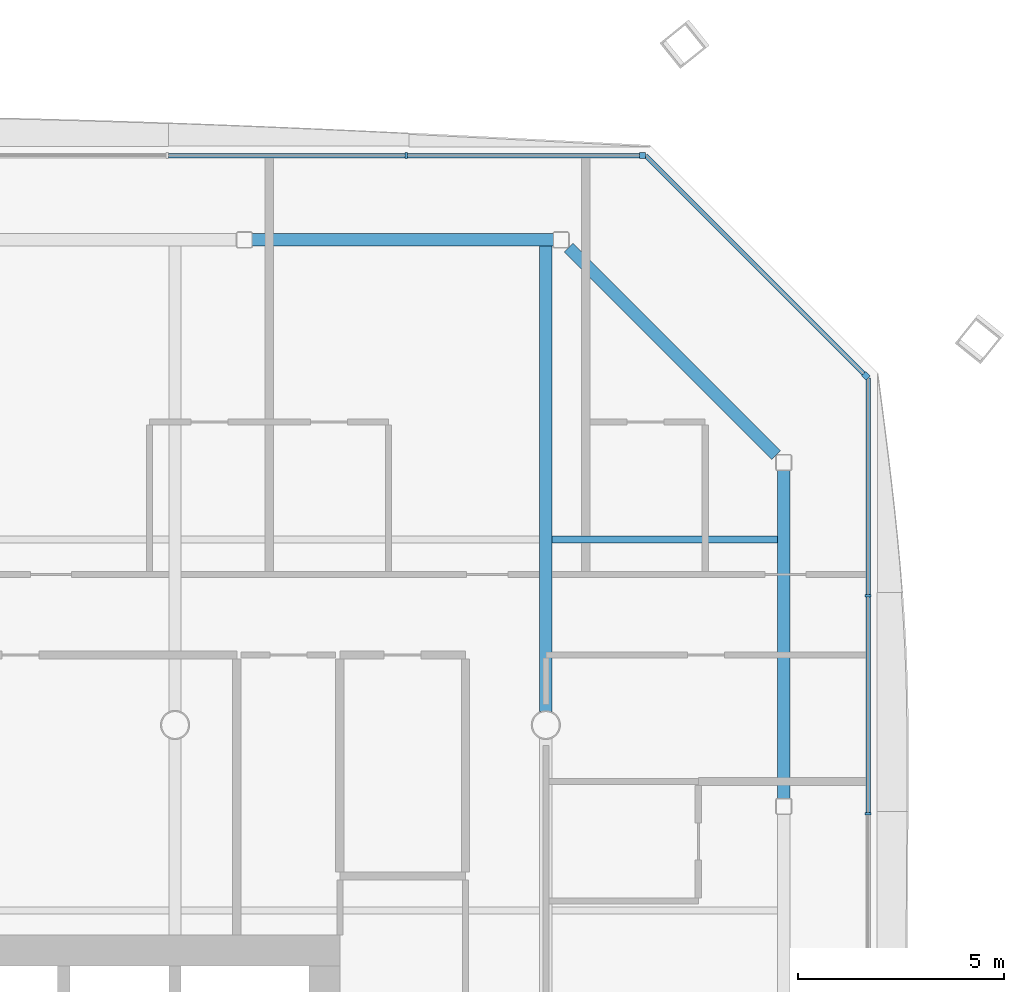
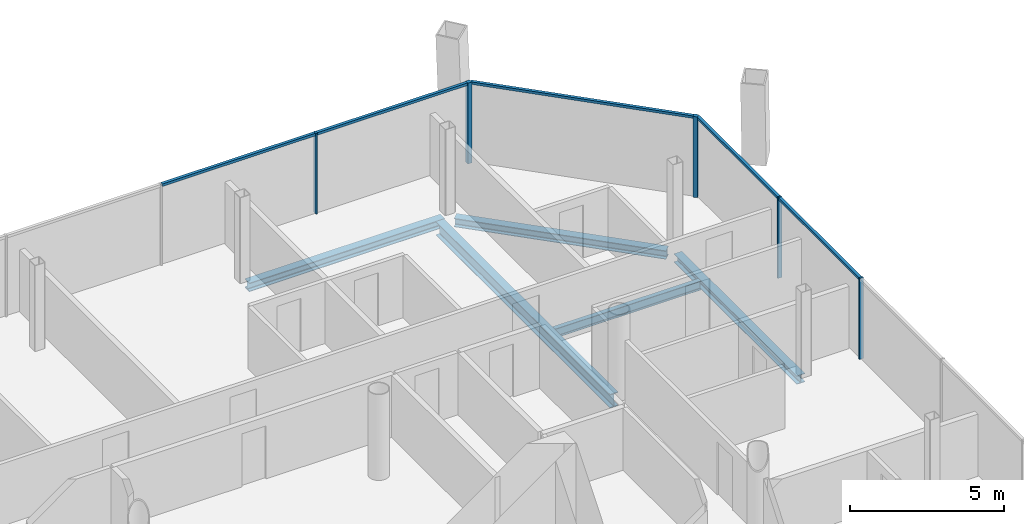
# One storey, part 10 of 21: 10 members, 5 beams, 3 elements without a shape of their own.
"""IFC4 building model written with IfcOpenShell, lengths in metres."""

import ifcopenshell
import ifcopenshell.guid

model = None  # the IFC model being written
_history = None  # IfcOwnerHistory: only IFC2X3 demands one
_inside = {}  # id of a spatial element -> (the spatial element, [elements in it])
_under = {}  # id of a project, library or spatial element -> (it, [spatial elements below it])
_declared = {}  # id of a project -> (the project, [libraries it declares])
_typed = {}  # id of a type object -> (the type object, [elements of that type])
_made_of = {}  # id of a material, layer set ... -> (it, [elements and type objects made of it])


def new_model(schema):
    """Start an empty IFC model of exactly this schema.

    Asked for "IFC4X3", IfcOpenShell would pick the latest addendum, in which some entities
    have other attributes; the version numbers below select the first issue.
    IFC2X3 requires an IfcOwnerHistory on every rooted entity: one is made here for all.
    """
    global model, _history
    if schema == "IFC4X3":
        model = ifcopenshell.file(schema_version=(4, 3, 0, 0))
    else:
        model = ifcopenshell.file(schema=schema)
    _inside.clear()
    _under.clear()
    _declared.clear()
    _typed.clear()
    _made_of.clear()
    _history = None
    if model.schema == "IFC2X3":
        org = make("IfcOrganization", Name="unknown")
        user = make(
            "IfcPersonAndOrganization",
            ThePerson=make("IfcPerson", FamilyName="unknown"),
            TheOrganization=org,
        )
        app = make(
            "IfcApplication",
            ApplicationDeveloper=org,
            Version="unknown",
            ApplicationFullName="unknown",
            ApplicationIdentifier="unknown",
        )
        _history = make(
            "IfcOwnerHistory",
            OwningUser=user,
            OwningApplication=app,
            ChangeAction="ADDED",
            CreationDate=0,
        )
    return model


def make(cls, **values):
    """One entity of the class cls with the attributes given. An attribute that is None is left unset."""
    return model.create_entity(
        cls, **{name: value for name, value in values.items() if value is not None}
    )


def rooted(cls, **values):
    """An entity with a GlobalId (a new one), such as an element, a storey or a relation."""
    return make(cls, GlobalId=ifcopenshell.guid.new(), OwnerHistory=_history, **values)


def si_unit(unit_type, name, prefix=None):
    """IfcSIUnit, for example si_unit("LENGTHUNIT", "METRE", prefix="MILLI")."""
    return make("IfcSIUnit", UnitType=unit_type, Prefix=prefix, Name=name)


def assignment(units):
    """IfcUnitAssignment: the units of a project."""
    return None if units is None else make("IfcUnitAssignment", Units=units)


def point(xyz):
    """IfcCartesianPoint."""
    return None if xyz is None else make("IfcCartesianPoint", Coordinates=xyz)


def direction(xyz):
    """IfcDirection."""
    return None if xyz is None else make("IfcDirection", DirectionRatios=xyz)


def frame(location, z_axis=None, x_axis=None):
    """IfcAxis2Placement3D, a coordinate frame: its origin and axes. An axis left out is left unset."""
    return make(
        "IfcAxis2Placement3D",
        Location=point(location),
        Axis=direction(z_axis),
        RefDirection=direction(x_axis),
    )


def frame_2d(location, x_axis=None):
    """IfcAxis2Placement2D, a coordinate frame in the plane: its origin and x axis."""
    return make(
        "IfcAxis2Placement2D", Location=point(location), RefDirection=direction(x_axis)
    )


def origin():
    """The frame at (0, 0, 0) with its axes left unset."""
    return frame((0.0, 0.0, 0.0))


def origin_2d():
    """The frame at (0, 0) in the plane with its x axis left unset."""
    return frame_2d((0.0, 0.0))


def place(relative_to, where):
    """IfcLocalPlacement: puts the frame where relative to a parent placement (None: the world)."""
    return make(
        "IfcLocalPlacement", PlacementRelTo=relative_to, RelativePlacement=where
    )


def context(
    kind, dimensions, precision=None, world=None, true_north=None, identifier=None
):
    """IfcGeometricRepresentationContext, for example the 3D "Model" context."""
    return make(
        "IfcGeometricRepresentationContext",
        ContextIdentifier=identifier,
        ContextType=kind,
        CoordinateSpaceDimension=dimensions,
        Precision=precision,
        WorldCoordinateSystem=world,
        TrueNorth=true_north,
    )


def subcontext(parent, identifier, kind, view, scale=None):
    """IfcGeometricRepresentationSubContext, for example "Body" below "Model"."""
    return make(
        "IfcGeometricRepresentationSubContext",
        ContextIdentifier=identifier,
        ContextType=kind,
        ParentContext=parent,
        TargetScale=scale,
        TargetView=view,
    )


def project(units=None, contexts=None):
    """IfcProject with its units and contexts."""
    return rooted(
        "IfcProject",
        Name="project",
        RepresentationContexts=contexts,
        UnitsInContext=assignment(units),
    )


def spatial(cls, under=None, at=None, **own):
    """A site, building, storey or space (cls), placed at a placement, below another one or the project."""
    s = rooted(cls, ObjectPlacement=at, **own)
    if under is not None:
        _under.setdefault(under.id(), (under, []))[1].append(s)
    return s


def profile(cls, at=None, kind="AREA", **sizes):
    """A parametric profile (cls). Its sizes go by their IFC names, for example OverallWidth=200.0."""
    return make(cls, ProfileType=kind, Position=at, **sizes)


def rectangle(**sizes):
    """IfcRectangleProfileDef."""
    return profile("IfcRectangleProfileDef", **sizes)


def i_section(**sizes):
    """IfcIShapeProfileDef."""
    return profile("IfcIShapeProfileDef", **sizes)


def extrude(swept, where, along, depth):
    """IfcExtrudedAreaSolid: the profile swept, set in the frame where, extruded along a direction by depth."""
    return make(
        "IfcExtrudedAreaSolid",
        SweptArea=swept,
        Position=where,
        ExtrudedDirection=direction(along),
        Depth=depth,
    )


def shape(context_of_items, identifier, shape_type, items):
    """IfcShapeRepresentation: the items that make up one representation, for example the "Body"."""
    return make(
        "IfcShapeRepresentation",
        ContextOfItems=context_of_items,
        RepresentationIdentifier=identifier,
        RepresentationType=shape_type,
        Items=items,
    )


def material(Name=None, Category=None):
    """IfcMaterial."""
    return make("IfcMaterial", Name=Name, Category=Category)


def material_profile(
    of_material, cross_section, Name=None, Category=None, Priority=None
):
    """IfcMaterialProfile: a cross section and its material."""
    return make(
        "IfcMaterialProfile",
        Name=Name,
        Material=of_material,
        Profile=cross_section,
        Priority=Priority,
        Category=Category,
    )


def profile_set(profiles, Name=None, composite=None):
    """IfcMaterialProfileSet."""
    return make(
        "IfcMaterialProfileSet",
        Name=Name,
        MaterialProfiles=profiles,
        CompositeProfile=composite,
    )


def made_of(thing, what):
    """Note that an element or type object is made of a material, layer set ...; save() writes the relation."""
    if what is not None:
        _made_of.setdefault(what.id(), (what, []))[1].append(thing)
    return thing


def type_object(cls, material=None, **own):
    """A type object (cls), such as IfcWallType, which elements share."""
    return made_of(rooted(cls, **own), material)


def element(
    cls,
    number,
    at=None,
    inside=None,
    cuts=None,
    type_object=None,
    material=None,
    context=None,
    identifier="Body",
    shape_type=None,
    held_by="IfcProductDefinitionShape",
    body=None,
    shapes=None,
    **own,
):
    """One element of the class cls, such as IfcWall. Its Tag is "e" and its number.

    at: its placement. inside: the storey or other place that contains it. cuts: it is an
    opening in that element (IfcRelVoidsElement). A single representation is given by context,
    identifier, shape_type and body (its items); several are given by shapes. held_by: the class
    of the entity that holds the representations. save() writes the other relations.
    """
    e = rooted(cls, Tag="e%d" % number, ObjectPlacement=at, **own)
    if body is not None:
        shapes = [shape(context, identifier, shape_type, body)]
    if shapes is not None:
        e.Representation = make(held_by, Representations=shapes)
    if inside is not None:
        _inside.setdefault(inside.id(), (inside, []))[1].append(e)
    if cuts is not None:
        rooted(
            "IfcRelVoidsElement", RelatingBuildingElement=cuts, RelatedOpeningElement=e
        )
    if type_object is not None:
        _typed.setdefault(type_object.id(), (type_object, []))[1].append(e)
    return made_of(e, material)


def aggregate(whole, parts):
    """IfcRelAggregates: a whole, such as a stair, and the parts it consists of."""
    return rooted("IfcRelAggregates", RelatingObject=whole, RelatedObjects=parts)


def save(model, path):
    """Write the relations noted so far, then the file.

    IfcRelAggregates (storeys below a building ...), IfcRelContainedInSpatialStructure (elements
    in a storey), IfcRelDefinesByType, IfcRelAssociatesMaterial and IfcRelDeclares: one each for
    every whole, place, type object, material and project.
    """
    for whole, parts in _under.values():
        aggregate(whole, parts)
    for where, things in _inside.values():
        rooted(
            "IfcRelContainedInSpatialStructure",
            RelatedElements=things,
            RelatingStructure=where,
        )
    for kind, things in _typed.values():
        rooted("IfcRelDefinesByType", RelatedObjects=things, RelatingType=kind)
    for what, things in _made_of.values():
        rooted("IfcRelAssociatesMaterial", RelatedObjects=things, RelatingMaterial=what)
    for by, libraries in _declared.values():
        rooted("IfcRelDeclares", RelatingContext=by, RelatedDefinitions=libraries)
    model.write(path)


model = new_model("IFC4")

# Units and contexts
model_context = context("Model", 3, precision=1e-05, world=origin(), true_north=direction((0.0, 1.0)))
body_context = subcontext(model_context, "Body", "Model", "MODEL_VIEW")
ifc_project = project(units=[si_unit("LENGTHUNIT", "METRE"), si_unit("AREAUNIT", "SQUARE_METRE"), si_unit("VOLUMEUNIT", "CUBIC_METRE"), si_unit("PLANEANGLEUNIT", "RADIAN"), si_unit("MASSUNIT", "GRAM", prefix="KILO")], contexts=[model_context])

# Site, building, storey
site_placement = place(None, origin())
site = spatial("IfcSite", under=ifc_project, at=site_placement, CompositionType="ELEMENT")
building_placement = place(site_placement, origin())
building = spatial("IfcBuilding", under=site, at=building_placement, Name="Tskaro Facet Tower", CompositionType="ELEMENT")
storey_placement = place(building_placement, frame((0.0, 0.0, 138.5)))
storey = spatial("IfcBuildingStorey", under=building, at=storey_placement, Name="L33", CompositionType="ELEMENT", Elevation=138.5)

# Curtain wall, member
ifc_material_1 = material(Name="Bronze anodised aluminium 6063-T6", Category="aluminium")
curtain_wall_type = type_object("IfcCurtainWallType", Name="Bronze hotel curtain wall (FW2)", PredefinedType="NOTDEFINED", material=ifc_material_1)
curtain_wall_1_placement = place(storey_placement, origin())
curtain_wall_1 = element("IfcCurtainWall", 1, at=curtain_wall_1_placement, inside=storey, type_object=curtain_wall_type, Name="FW2 north-east facet L33", PredefinedType="NOTDEFINED")
ifc_material_profile_1 = material_profile(ifc_material_1, rectangle(XDim=0.14990234375, YDim=0.14990234375, at=origin_2d()), Name="Corner post 150x150")
ifc_profile_set_1 = profile_set([ifc_material_profile_1], Name="Bronze anodised aluminium 6063-T6")
member_type_1 = type_object("IfcMemberType", Name="FW2 bronze corner post 150x150", PredefinedType="MULLION", material=ifc_profile_set_1)
member_1_placement = place(storey_placement, frame((25.766845703125, 17.47509765625, 0.0), z_axis=(0.0, 0.0, 1.0), x_axis=(-0.707106781187, 0.707106781187, 0.0)))
member_1 = element("IfcMember", 2, at=member_1_placement, type_object=member_type_1, Name="FW2 north-east corner post", PredefinedType="MULLION", context=body_context, shape_type="SweptSolid", body=[
    extrude(rectangle(XDim=0.14990234375, YDim=0.14990234375, at=origin_2d()), origin(), (0.0, 0.0, 1.0), 3.199951171875),
])

curtain_wall_2_placement = place(storey_placement, origin())
curtain_wall_2 = element("IfcCurtainWall", 3, at=curtain_wall_2_placement, inside=storey, type_object=curtain_wall_type, Name="FW2 north facet L33", PredefinedType="NOTDEFINED")
member_2_placement = place(storey_placement, frame((20.346923828125, 22.820068359375, 0.0), z_axis=(0.0, 0.0, 1.0), x_axis=(-1.0, 0.0, 0.0)))
member_2 = element("IfcMember", 4, at=member_2_placement, type_object=member_type_1, Name="FW2 north corner post", PredefinedType="MULLION", context=body_context, shape_type="SweptSolid", body=[
    extrude(rectangle(XDim=0.14990234375, YDim=0.14990234375, at=origin_2d()), origin(), (0.0, 0.0, 1.0), 3.199951171875),
])

# Curtain wall, members
curtain_wall_3_placement = place(storey_placement, origin())
curtain_wall_3 = element("IfcCurtainWall", 5, at=curtain_wall_3_placement, inside=storey, type_object=curtain_wall_type, Name="FW2 east facet L33", PredefinedType="NOTDEFINED")
ifc_material_profile_2 = material_profile(ifc_material_1, rectangle(XDim=0.06005859375, YDim=0.14990234375, at=origin_2d()), Name="Mullion 60x150")
ifc_profile_set_2 = profile_set([ifc_material_profile_2], Name="Bronze anodised aluminium 6063-T6")
member_type_2 = type_object("IfcMemberType", Name="FW2 bronze mullion 60x150", PredefinedType="MULLION", material=ifc_profile_set_2)
member_3_placement = place(storey_placement, frame((25.820068359375, 6.851806640625, 0.0), z_axis=(0.0, 0.0, 1.0), x_axis=(0.0, 1.0, 0.0)))
member_3 = element("IfcMember", 6, at=member_3_placement, type_object=member_type_2, Name="FW2 east mullion 5", PredefinedType="MULLION", context=body_context, shape_type="SweptSolid", body=[
    extrude(rectangle(XDim=0.06005859375, YDim=0.14990234375, at=origin_2d()), origin(), (0.0, 0.0, 1.0), 3.199951171875),
])
member_4_placement = place(storey_placement, frame((25.820068359375, 12.136962890625, 0.0), z_axis=(0.0, 0.0, 1.0), x_axis=(0.0, 1.0, 0.0)))
member_4 = element("IfcMember", 7, at=member_4_placement, type_object=member_type_2, Name="FW2 east mullion 6", PredefinedType="MULLION", context=body_context, shape_type="SweptSolid", body=[
    extrude(rectangle(XDim=0.06005859375, YDim=0.14990234375, at=origin_2d()), origin(), (0.0, 0.0, 1.0), 3.199951171875),
])

# Member
member_5_placement = place(storey_placement, frame((14.61474609375, 22.820068359375, 0.0), z_axis=(0.0, 0.0, 1.0), x_axis=(-1.0, 0.0, 0.0)))
member_5 = element("IfcMember", 8, at=member_5_placement, type_object=member_type_2, Name="FW2 north mullion 1", PredefinedType="MULLION", context=body_context, shape_type="SweptSolid", body=[
    extrude(rectangle(XDim=0.06005859375, YDim=0.14990234375, at=origin_2d()), origin(), (0.0, 0.0, 1.0), 3.199951171875),
])

ifc_material_profile_3 = material_profile(ifc_material_1, rectangle(XDim=0.110107421875, YDim=0.10009765625, at=origin_2d()), Name="Transom 110x100")
ifc_profile_set_3 = profile_set([ifc_material_profile_3], Name="Bronze anodised aluminium 6063-T6")
member_type_3 = type_object("IfcMemberType", Name="FW2 bronze transom 110x100", PredefinedType="USERDEFINED", material=ifc_profile_set_3)
member_6_placement = place(storey_placement, frame((25.820068359375, 6.8818359375, 3.14990234375), z_axis=(0.0, 1.0, 0.0), x_axis=(-1.0, 0.0, 0.0)))
member_6 = element("IfcMember", 9, at=member_6_placement, type_object=member_type_3, Name="FW2 east transom 6.1", ObjectType="TRANSOM", PredefinedType="USERDEFINED", context=body_context, shape_type="SweptSolid", body=[
    extrude(rectangle(XDim=0.110107421875, YDim=0.10009765625, at=origin_2d()), origin(), (0.0, 0.0, 1.0), 5.22509765625),
])

member_7_placement = place(storey_placement, frame((25.820068359375, 12.166748046875, 3.14990234375), z_axis=(0.0, 1.0, 0.0), x_axis=(-1.0, 0.0, 0.0)))
member_7 = element("IfcMember", 10, at=member_7_placement, type_object=member_type_3, Name="FW2 east transom 7.1", ObjectType="TRANSOM", PredefinedType="USERDEFINED", context=body_context, shape_type="SweptSolid", body=[
    extrude(rectangle(XDim=0.110107421875, YDim=0.10009765625, at=origin_2d()), origin(), (0.0, 0.0, 1.0), 5.25537109375),
])

aggregate(curtain_wall_3, [member_3, member_4, member_6, member_7])

member_8_placement = place(storey_placement, frame((25.7138671875, 17.528076171875, 3.14990234375), z_axis=(-0.7070904698, 0.707123092197, 0.0), x_axis=(-0.707123092197, -0.7070904698, 0.0)))
member_8 = element("IfcMember", 11, at=member_8_placement, type_object=member_type_3, Name="FW2 north-east transom 1.1", ObjectType="TRANSOM", PredefinedType="USERDEFINED", context=body_context, shape_type="SweptSolid", body=[
    extrude(rectangle(XDim=0.110107421875, YDim=0.10009765625, at=origin_2d()), origin(), (0.0, 0.0, 1.0), 7.48388671875),
])

aggregate(curtain_wall_1, [member_1, member_8])

member_9_placement = place(storey_placement, frame((20.27197265625, 22.820068359375, 3.14990234375), z_axis=(-1.0, 0.0, 0.0), x_axis=(0.0, -1.0, 0.0)))
member_9 = element("IfcMember", 12, at=member_9_placement, type_object=member_type_3, Name="FW2 north transom 1.1", ObjectType="TRANSOM", PredefinedType="USERDEFINED", context=body_context, shape_type="SweptSolid", body=[
    extrude(rectangle(XDim=0.110107421875, YDim=0.10009765625, at=origin_2d()), origin(), (0.0, 0.0, 1.0), 5.627197265625),
])

member_10_placement = place(storey_placement, frame((14.584716796875, 22.820068359375, 3.14990234375), z_axis=(-1.0, 0.0, 0.0), x_axis=(0.0, -1.0, 0.0)))
member_10 = element("IfcMember", 13, at=member_10_placement, type_object=member_type_3, Name="FW2 north transom 2.1", ObjectType="TRANSOM", PredefinedType="USERDEFINED", context=body_context, shape_type="SweptSolid", body=[
    extrude(rectangle(XDim=0.110107421875, YDim=0.10009765625, at=origin_2d()), origin(), (0.0, 0.0, 1.0), 5.747314453125),
])

aggregate(curtain_wall_2, [member_2, member_5, member_9, member_10])

# Beams
ifc_material_2 = material(Name="Steel S355J2", Category="steel")
ifc_material_profile_4 = material_profile(ifc_material_2, i_section(OverallWidth=0.300048828125, OverallDepth=0.340087890625, WebThickness=0.011962890625, FlangeThickness=0.021484375, FilletRadius=0.027099609375, at=origin_2d()), Name="HE 340 B")
ifc_profile_set_4 = profile_set([ifc_material_profile_4], Name="Steel S355J2")
beam_type_1 = type_object("IfcBeamType", Name="HE 340 B ring beam", PredefinedType="BEAM", material=ifc_profile_set_4)
beam_1_placement = place(storey_placement, frame((23.77392578125, 7.2060546875, -0.31005859375), z_axis=(0.0, 1.0, 0.0), x_axis=(-1.0, 0.0, 0.0)))
element("IfcBeam", 14, at=beam_1_placement, inside=storey, type_object=beam_type_1, Name="HE 340 B EB9-3", PredefinedType="BEAM", context=body_context, shape_type="SweptSolid", body=[
    extrude(i_section(OverallWidth=0.300048828125, OverallDepth=0.340087890625, WebThickness=0.011962890625, FlangeThickness=0.021484375, FilletRadius=0.027099609375, at=origin_2d()), origin(), (0.0, 0.0, 1.0), 7.98193359375),
])
beam_2_placement = place(storey_placement, frame((23.588134765625, 15.553955078125, -0.31005859375), z_axis=(-0.707106781187, 0.707106781187, 0.0), x_axis=(-0.707106781187, -0.707106781187, 0.0)))
element("IfcBeam", 15, at=beam_2_placement, inside=storey, type_object=beam_type_1, Name="HE 340 B EB10-3", PredefinedType="BEAM", context=body_context, shape_type="SweptSolid", body=[
    extrude(i_section(OverallWidth=0.300048828125, OverallDepth=0.340087890625, WebThickness=0.011962890625, FlangeThickness=0.021484375, FilletRadius=0.027099609375, at=origin_2d()), origin(), (0.0, 0.0, 1.0), 7.119384765625),
])
beam_3_placement = place(storey_placement, frame((18.18798828125, 20.77392578125, -0.31005859375), z_axis=(-1.0, 0.0, 0.0), x_axis=(0.0, -1.0, 0.0)))
element("IfcBeam", 16, at=beam_3_placement, inside=storey, type_object=beam_type_1, Name="HE 340 B EB11-3", PredefinedType="BEAM", context=body_context, shape_type="SweptSolid", body=[
    extrude(i_section(OverallWidth=0.300048828125, OverallDepth=0.340087890625, WebThickness=0.011962890625, FlangeThickness=0.021484375, FilletRadius=0.027099609375, at=origin_2d()), origin(), (0.0, 0.0, 1.0), 7.323974609375),
])
ifc_material_profile_5 = material_profile(ifc_material_2, i_section(OverallWidth=0.300048828125, OverallDepth=0.5400390625, WebThickness=0.012451171875, FlangeThickness=0.02392578125, FilletRadius=0.027099609375, at=origin_2d()), Name="HE 550 A")
ifc_profile_set_5 = profile_set([ifc_material_profile_5], Name="Steel S355J2")
beam_type_2 = type_object("IfcBeamType", Name="HE 550 A long girder", PredefinedType="BEAM", material=ifc_profile_set_5)
beam_4_placement = place(storey_placement, frame((18.0, 9.325439453125, -0.409912109375), z_axis=(0.0, 1.0, 0.0), x_axis=(-1.0, 0.0, 0.0)))
element("IfcBeam", 17, at=beam_4_placement, inside=storey, type_object=beam_type_2, Name="HE 550 A LGB6-4-3", PredefinedType="BEAM", context=body_context, shape_type="SweptSolid", body=[
    extrude(i_section(OverallWidth=0.300048828125, OverallDepth=0.5400390625, WebThickness=0.012451171875, FlangeThickness=0.02392578125, FilletRadius=0.027099609375, at=origin_2d()), origin(), (0.0, 0.0, 1.0), 11.298583984375),
])
ifc_material_profile_6 = material_profile(ifc_material_2, i_section(OverallWidth=0.169921875, OverallDepth=0.360107421875, WebThickness=0.008056640625, FlangeThickness=0.0126953125, FilletRadius=0.01806640625, at=origin_2d()), Name="IPE 360")
ifc_profile_set_6 = profile_set([ifc_material_profile_6], Name="Steel S355J2")
beam_type_3 = type_object("IfcBeamType", Name="IPE 360 secondary beam", PredefinedType="BEAM", material=ifc_profile_set_6)
beam_5_placement = place(storey_placement, frame((18.14990234375, 13.5, -0.320068359375), z_axis=(1.0, 0.0, 0.0), x_axis=(0.0, 1.0, 0.0)))
element("IfcBeam", 18, at=beam_5_placement, inside=storey, type_object=beam_type_3, Name="IPE 360 SB5a-5-3", PredefinedType="BEAM", context=body_context, shape_type="SweptSolid", body=[
    extrude(i_section(OverallWidth=0.169921875, OverallDepth=0.360107421875, WebThickness=0.008056640625, FlangeThickness=0.0126953125, FilletRadius=0.01806640625, at=origin_2d()), origin(), (0.0, 0.0, 1.0), 5.47412109375),
])

save(model, "model.ifc")
